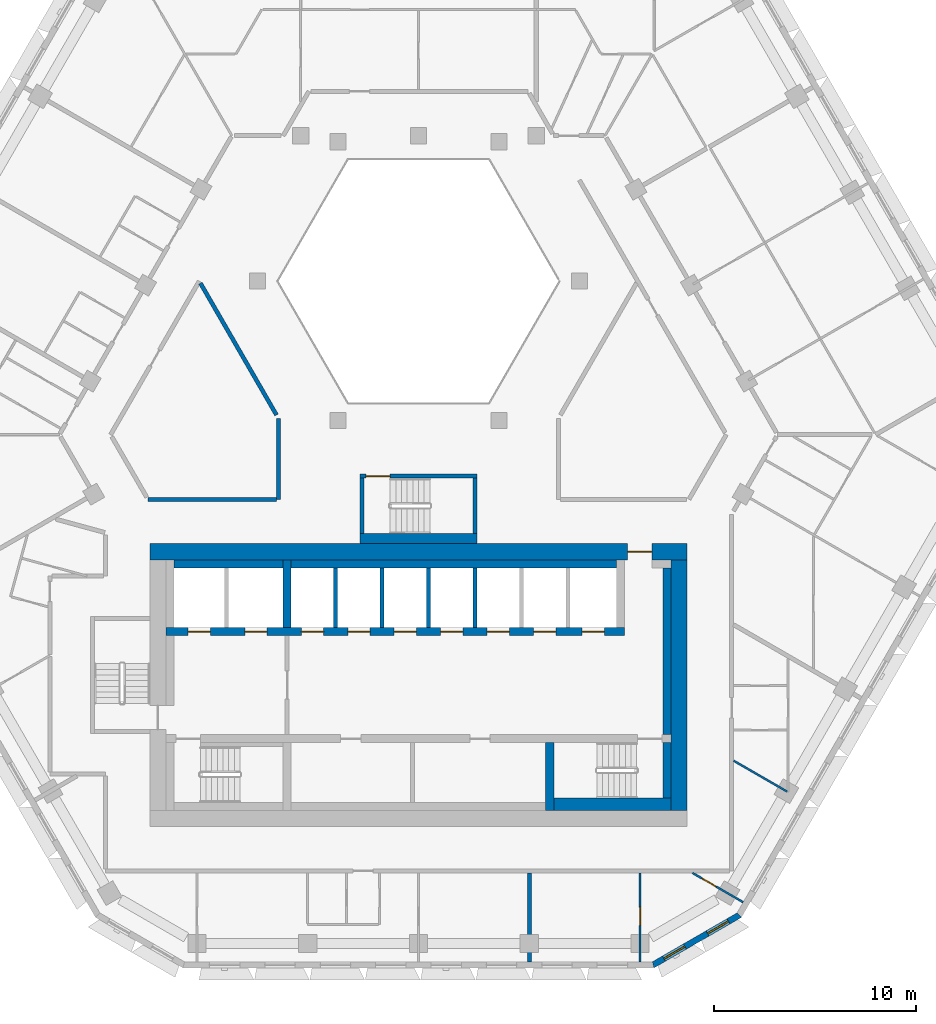
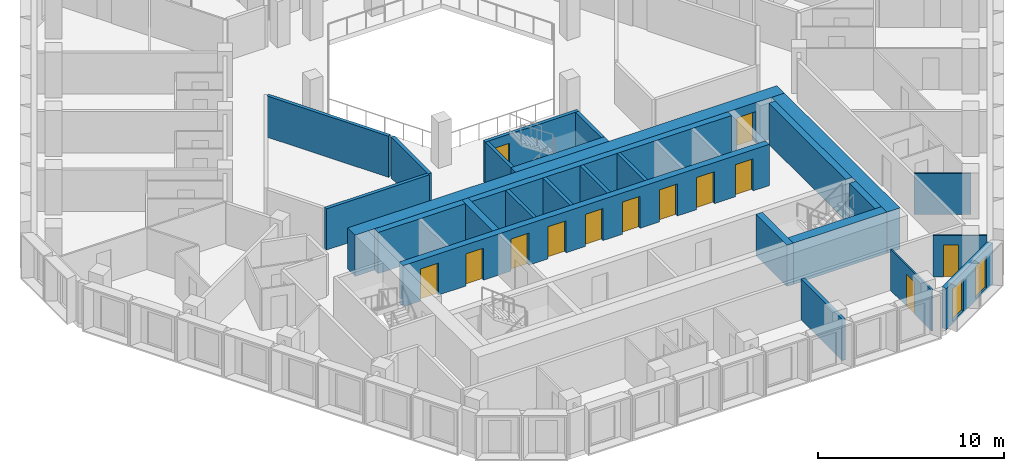
# One storey, part 5 of 17: 26 walls, 13 doors, 2 windows, 15 openings.
"""IFC4 building model written with IfcOpenShell, lengths in metres."""

from ifc_helpers import new_model, si_unit, direction, frame, frame_2d, origin, place, context, subcontext, project, spatial, polyline, rectangle, outline, extrude, material, layer, layer_set, type_object, element, fill, save


model = new_model("IFC4")

# Units and contexts
model_context = context("Model", 3, precision=1e-05, world=origin(), true_north=direction((0.0, 1.0)))
body_context = subcontext(model_context, "Body", "Model", "MODEL_VIEW")
ifc_project = project(units=[si_unit("LENGTHUNIT", "METRE"), si_unit("AREAUNIT", "SQUARE_METRE"), si_unit("VOLUMEUNIT", "CUBIC_METRE"), si_unit("PLANEANGLEUNIT", "RADIAN"), si_unit("MASSUNIT", "GRAM", prefix="KILO")], contexts=[model_context])

# Site, building, storey
site_placement = place(None, origin())
site = spatial("IfcSite", under=ifc_project, at=site_placement, CompositionType="ELEMENT")
building_placement = place(site_placement, origin())
building = spatial("IfcBuilding", under=site, at=building_placement, Name="Beryl Residences", CompositionType="ELEMENT")
storey_placement = place(building_placement, frame((0.0, 0.0, 120.60009765625)))
storey = spatial("IfcBuildingStorey", under=building, at=storey_placement, Name="L36", CompositionType="ELEMENT", Elevation=120.60009765625)

# Wall, openings, windows
ifc_material_1 = material(Name="Composite metal panel with mineral wool insulation")
ifc_layer_1 = layer(ifc_material_1, 0.300048828125)
ifc_layer_set_1 = layer_set([ifc_layer_1], Name="ES1 pale metal composite panel wall 300 mm")
wall_type_1 = type_object("IfcWallType", Name="ES1 pale metal composite panel wall 300 mm", PredefinedType="SOLIDWALL", material=ifc_layer_set_1)
wall_1_placement = place(storey_placement, frame((11.5869140625, -25.8701171875, 0.0), z_axis=(0.0, 0.0, 1.0), x_axis=(0.866022959057, 0.500004234368, 0.0)))
wall_1 = element("IfcWall", 1, at=wall_1_placement, inside=storey, type_object=wall_type_1, Name="ES1 external wall L36 S-SE", PredefinedType="SOLIDWALL", context=body_context, shape_type="SweptSolid", body=[
    extrude(outline(polyline([(0.0, -0.14990234375), (5.0, -0.14990234375), (4.919677734375, 0.14990234375), (0.080322265625, 0.14990234375), (0.0, -0.14990234375)])), origin(), (0.0, 0.0, 1.0), 2.699951171875),
])
opening_1_placement = place(wall_1_placement, frame((0.64990234375, 0.0, 0.14990234375)))
opening_1 = element("IfcOpeningElement", 2, at=opening_1_placement, cuts=wall_1, Name="Opening W2", PredefinedType="OPENING", context=body_context, shape_type="SweptSolid", body=[
    extrude(rectangle(XDim=1.199951171875, YDim=2.10009765625, at=frame_2d((0.60009765625, 1.050048828125))), frame((0.0, 0.159912109375, 0.0), z_axis=(0.0, -1.0, 0.0), x_axis=(1.0, 0.0, 0.0)), (0.0, 0.0, 1.0), 0.320068359375),
])
opening_2_placement = place(wall_1_placement, frame((3.14892578125, 0.0, 0.14990234375)))
opening_2 = element("IfcOpeningElement", 3, at=opening_2_placement, cuts=wall_1, Name="Opening W2", PredefinedType="OPENING", context=body_context, shape_type="SweptSolid", body=[
    extrude(rectangle(XDim=1.199951171875, YDim=2.10009765625, at=frame_2d((0.60009765625, 1.050048828125))), frame((0.0, 0.159912109375, 0.0), z_axis=(0.0, -1.0, 0.0), x_axis=(1.0, 0.0, 0.0)), (0.0, 0.0, 1.0), 0.320068359375),
])
ifc_material_2 = material(Name="Aluminium and clear glass", Category="aluminium")
window_type = type_object("IfcWindowType", Name="W2 chamfer window 1200 x 2100 mm", PartitioningType="SINGLE_PANEL", PredefinedType="WINDOW", material=ifc_material_2)
window_1_placement = place(opening_1_placement, origin())
window_1 = element("IfcWindow", 4, at=window_1_placement, inside=storey, type_object=window_type, Name="W2 window L36 S-SE 1", OverallHeight=2.10009765625, OverallWidth=1.199951171875, PartitioningType="SINGLE_PANEL", PredefinedType="WINDOW", context=body_context, shape_type="SweptSolid", body=[
    extrude(rectangle(XDim=1.199951171875, YDim=2.10009765625, at=frame_2d((0.60009765625, 1.050048828125))), frame((0.0, 0.030029296875, 0.0), z_axis=(0.0, -1.0, 0.0), x_axis=(1.0, 0.0, 0.0)), (0.0, 0.0, 1.0), 0.06005859375),
])
fill(opening_1, window_1)
window_2_placement = place(opening_2_placement, origin())
window_2 = element("IfcWindow", 5, at=window_2_placement, inside=storey, type_object=window_type, Name="W2 window L36 S-SE 2", OverallHeight=2.10009765625, OverallWidth=1.199951171875, PartitioningType="SINGLE_PANEL", PredefinedType="WINDOW", context=body_context, shape_type="SweptSolid", body=[
    extrude(rectangle(XDim=1.199951171875, YDim=2.10009765625, at=frame_2d((0.60009765625, 1.050048828125))), frame((0.0, 0.030029296875, 0.0), z_axis=(0.0, -1.0, 0.0), x_axis=(1.0, 0.0, 0.0)), (0.0, 0.0, 1.0), 0.06005859375),
])
fill(opening_2, window_2)

# Wall
ifc_material_3 = material(Name="Gypsum board partition on steel studs", Category="steel")
ifc_layer_2 = layer(ifc_material_3, 0.10009765625)
ifc_layer_set_2 = layer_set([ifc_layer_2], Name="PT1 partition 100 mm gypsum board on steel studs")
wall_type_2 = type_object("IfcWallType", Name="PT1 partition 100 mm gypsum board on steel studs", PredefinedType="PARTITIONING", material=ifc_layer_set_2)
wall_2_placement = place(storey_placement, frame((15.60009765625, -15.740966796875, 0.0), z_axis=(0.0, 0.0, 1.0), x_axis=(0.866010195725, -0.500026340207, 0.0)))
element("IfcWall", 6, at=wall_2_placement, inside=storey, type_object=wall_type_2, Name="Wall PT1 L36 011", PredefinedType="PARTITIONING", context=body_context, shape_type="SweptSolid", body=[
    extrude(rectangle(XDim=3.059814453125, YDim=0.10009765625, at=frame_2d((1.52978515625, 0.0))), origin(), (0.0, 0.0, 1.0), 2.699951171875),
])

# Wall, opening, door
wall_3_placement = place(storey_placement, frame((13.568115234375, -21.300048828125, 0.0), z_axis=(0.0, 0.0, 1.0), x_axis=(0.865885342641, -0.500242514586, 0.0)))
wall_3 = element("IfcWall", 7, at=wall_3_placement, inside=storey, type_object=wall_type_2, Name="Wall PT1 L36 014", PredefinedType="PARTITIONING", context=body_context, shape_type="SweptSolid", body=[
    extrude(rectangle(XDim=2.8984375, YDim=0.10009765625, at=frame_2d((1.44921875, 0.0))), origin(), (0.0, 0.0, 1.0), 2.699951171875),
])
opening_3_placement = place(wall_3_placement, frame((0.550048828125, 0.0, 0.0)))
opening_3 = element("IfcOpeningElement", 8, at=opening_3_placement, cuts=wall_3, Name="Opening D1040", PredefinedType="OPENING", context=body_context, shape_type="SweptSolid", body=[
    extrude(rectangle(XDim=0.800048828125, YDim=2.10009765625, at=frame_2d((0.39990234375, 1.050048828125))), frame((0.0, 0.06005859375, 0.0), z_axis=(0.0, -1.0, 0.0), x_axis=(1.0, 0.0, 0.0)), (0.0, 0.0, 1.0), 0.1201171875),
])
ifc_material_4 = material(Name="Timber door leaf", Category="wood")
door_type_1 = type_object("IfcDoorType", Name="D13 room door 800 x 2100 mm", OperationType="SINGLE_SWING_LEFT", PredefinedType="DOOR", material=ifc_material_4)
door_1_placement = place(opening_3_placement, origin())
door_1 = element("IfcDoor", 9, at=door_1_placement, inside=storey, type_object=door_type_1, Name="Door D1040 L36 001", OperationType="SINGLE_SWING_RIGHT", OverallHeight=2.10009765625, OverallWidth=0.800048828125, PredefinedType="DOOR", context=body_context, shape_type="SweptSolid", body=[
    extrude(rectangle(XDim=0.800048828125, YDim=2.10009765625, at=frame_2d((0.39990234375, 1.050048828125))), frame((0.0, 0.02490234375, 0.0), z_axis=(0.0, -1.0, 0.0), x_axis=(1.0, 0.0, 0.0)), (0.0, 0.0, 1.0), 0.050048828125),
])
fill(opening_3, door_1)

wall_4_placement = place(storey_placement, frame((10.970947265625, -25.699951171875, 0.0), z_axis=(0.0, 0.0, 1.0), x_axis=(0.0, 1.0, 0.0)))
wall_4 = element("IfcWall", 10, at=wall_4_placement, inside=storey, type_object=wall_type_2, Name="Wall PT1 L36 040", PredefinedType="PARTITIONING", context=body_context, shape_type="SweptSolid", body=[
    extrude(rectangle(XDim=4.39990234375, YDim=0.10009765625, at=frame_2d((2.199951171875, 0.0))), origin(), (0.0, 0.0, 1.0), 2.699951171875),
])
opening_4_placement = place(wall_4_placement, frame((1.800048828125, 0.0, 0.0)))
opening_4 = element("IfcOpeningElement", 11, at=opening_4_placement, cuts=wall_4, Name="Opening D1041", PredefinedType="OPENING", context=body_context, shape_type="SweptSolid", body=[
    extrude(rectangle(XDim=0.89990234375, YDim=2.10009765625, at=frame_2d((0.449951171875, 1.050048828125))), frame((0.0, 0.06005859375, 0.0), z_axis=(0.0, -1.0, 0.0), x_axis=(1.0, 0.0, 0.0)), (0.0, 0.0, 1.0), 0.1201171875),
])
ifc_material_5 = material(Name="Timber door leaf", Category="wood")
door_type_2 = type_object("IfcDoorType", Name="D2 room door 900 x 2100 mm", OperationType="SINGLE_SWING_LEFT", PredefinedType="DOOR", material=ifc_material_5)
door_2_placement = place(opening_4_placement, origin())
door_2 = element("IfcDoor", 12, at=door_2_placement, inside=storey, type_object=door_type_2, Name="Door D1041 L36 001", OperationType="SINGLE_SWING_LEFT", OverallHeight=2.10009765625, OverallWidth=0.89990234375, PredefinedType="DOOR", context=body_context, shape_type="SweptSolid", body=[
    extrude(rectangle(XDim=0.89990234375, YDim=2.10009765625, at=frame_2d((0.449951171875, 1.050048828125))), frame((0.0, 0.02490234375, 0.0), z_axis=(0.0, -1.0, 0.0), x_axis=(1.0, 0.0, 0.0)), (0.0, 0.0, 1.0), 0.050048828125),
])
fill(opening_4, door_2)

# Walls
ifc_material_6 = material(Name="Concrete masonry", Category="masonry")
ifc_layer_3 = layer(ifc_material_6, 0.39990234375)
ifc_layer_set_3 = layer_set([ifc_layer_3], Name="PT13-400 lobby wall 400 mm")
wall_type_3 = type_object("IfcWallType", Name="PT13-400 lobby wall 400 mm", PredefinedType="PARTITIONING", material=ifc_layer_set_3)
wall_5_placement = place(storey_placement, frame((12.300048828125, -14.449951171875, 0.0), z_axis=(0.0, 0.0, 1.0), x_axis=(0.0, 1.0, 0.0)))
element("IfcWall", 13, at=wall_5_placement, inside=storey, type_object=wall_type_3, Name="Lobby wall 24", PredefinedType="PARTITIONING", context=body_context, shape_type="SweptSolid", body=[
    extrude(rectangle(XDim=8.25, YDim=0.39990234375, at=frame_2d((4.125, 0.0))), origin(), (0.0, 0.0, 1.0), 2.699951171875),
])
ifc_material_7 = material(Name="Acoustic double stud gypsum board wall")
ifc_layer_4 = layer(ifc_material_7, 0.199951171875)
ifc_layer_set_4 = layer_set([ifc_layer_4], Name="PT3 party wall 200 mm acoustic double stud")
wall_type_4 = type_object("IfcWallType", Name="PT3 party wall 200 mm acoustic double stud", PredefinedType="PARTITIONING", material=ifc_layer_set_4)
wall_6_placement = place(storey_placement, frame((5.486083984375, -25.699951171875, 0.0), z_axis=(0.0, 0.0, 1.0), x_axis=(0.0, 1.0, 0.0)))
element("IfcWall", 14, at=wall_6_placement, inside=storey, type_object=wall_type_4, Name="Wall PT3 L36 007", PredefinedType="PARTITIONING", context=body_context, shape_type="SweptSolid", body=[
    extrude(rectangle(XDim=4.39990234375, YDim=0.199951171875, at=frame_2d((2.199951171875, 0.0))), origin(), (0.0, 0.0, 1.0), 2.699951171875),
])
ifc_material_8 = material(Name="Double stud gypsum board wall")
ifc_layer_5 = layer(ifc_material_8, 0.199951171875)
ifc_layer_set_5 = layer_set([ifc_layer_5], Name="PT4 corridor wall 200 mm double stud")
wall_type_5 = type_object("IfcWallType", Name="PT4 corridor wall 200 mm double stud", PredefinedType="PARTITIONING", material=ifc_layer_set_5)
wall_7_placement = place(storey_placement, frame((-10.7958984375, 7.89990234375, 0.0), z_axis=(0.0, 0.0, 1.0), x_axis=(0.499954271211, -0.866051803703, 0.0)))
element("IfcWall", 15, at=wall_7_placement, inside=storey, type_object=wall_type_5, Name="Wall PT4 L36 001", PredefinedType="PARTITIONING", context=body_context, shape_type="SweptSolid", body=[
    extrude(rectangle(XDim=7.536376953125, YDim=0.199951171875, at=frame_2d((3.76806640625, 0.0))), origin(), (0.0, 0.0, 1.0), 2.699951171875),
])
wall_8_placement = place(storey_placement, frame((-13.39501953125, -2.800048828125, 0.0), z_axis=(0.0, 0.0, 1.0), x_axis=(1.0, 0.0, 0.0)))
element("IfcWall", 16, at=wall_8_placement, inside=storey, type_object=wall_type_5, Name="Wall PT4 L36 012", PredefinedType="PARTITIONING", context=body_context, shape_type="SweptSolid", body=[
    extrude(rectangle(XDim=6.366943359375, YDim=0.199951171875, at=frame_2d((3.18359375, 0.0))), origin(), (0.0, 0.0, 1.0), 2.699951171875),
])
wall_9_placement = place(storey_placement, frame((-6.927978515625, -2.800048828125, 0.0), z_axis=(0.0, 0.0, 1.0), x_axis=(0.0, 1.0, 0.0)))
element("IfcWall", 17, at=wall_9_placement, inside=storey, type_object=wall_type_5, Name="Wall PT4 L36 025", PredefinedType="PARTITIONING", context=body_context, shape_type="SweptSolid", body=[
    extrude(rectangle(XDim=4.0, YDim=0.199951171875, at=frame_2d((2.0, 0.0))), origin(), (0.0, 0.0, 1.0), 2.699951171875),
])

# Wall, opening, door
ifc_material_9 = material(Name="Concrete C40/50", Category="concrete")
ifc_layer_6 = layer(ifc_material_9, 0.199951171875)
ifc_layer_set_6 = layer_set([ifc_layer_6], Name="PT5 stair enclosure wall 200 mm reinforced concrete C40/50")
wall_type_6 = type_object("IfcWallType", Name="PT5 stair enclosure wall 200 mm reinforced concrete C40/50", PredefinedType="SOLIDWALL", material=ifc_layer_set_6)
wall_10_placement = place(storey_placement, frame((-2.89990234375, -1.64990234375, 0.0), z_axis=(0.0, 0.0, 1.0), x_axis=(1.0, 0.0, 0.0)))
wall_10 = element("IfcWall", 18, at=wall_10_placement, inside=storey, type_object=wall_type_6, Name="Wall PT5 L36 001", PredefinedType="SOLIDWALL", context=body_context, shape_type="SweptSolid", body=[
    extrude(rectangle(XDim=5.7998046875, YDim=0.199951171875, at=frame_2d((2.89990234375, 0.0))), origin(), (0.0, 0.0, 1.0), 2.699951171875),
])
opening_5_placement = place(wall_10_placement, frame((0.300048828125, 0.0, 0.0)))
opening_5 = element("IfcOpeningElement", 19, at=opening_5_placement, cuts=wall_10, Name="Opening DS04", PredefinedType="OPENING", context=body_context, shape_type="SweptSolid", body=[
    extrude(rectangle(XDim=1.199951171875, YDim=2.10009765625, at=frame_2d((0.60009765625, 1.050048828125))), frame((0.0, 0.10986328125, 0.0), z_axis=(0.0, -1.0, 0.0), x_axis=(1.0, 0.0, 0.0)), (0.0, 0.0, 1.0), 0.219970703125),
])
ifc_material_10 = material(Name="Steel door leaf in steel frame", Category="steel")
door_type_3 = type_object("IfcDoorType", Name="D4 stair door 1200 x 2100 mm", OperationType="SINGLE_SWING_LEFT", PredefinedType="DOOR", material=ifc_material_10)
door_3_placement = place(opening_5_placement, origin())
door_3 = element("IfcDoor", 20, at=door_3_placement, inside=storey, type_object=door_type_3, Name="Door DS04 L36 001", OperationType="SINGLE_SWING_LEFT", OverallHeight=2.10009765625, OverallWidth=1.199951171875, PredefinedType="DOOR", context=body_context, shape_type="SweptSolid", body=[
    extrude(rectangle(XDim=1.199951171875, YDim=2.10009765625, at=frame_2d((0.60009765625, 1.050048828125))), frame((0.0, 0.02490234375, 0.0), z_axis=(0.0, -1.0, 0.0), x_axis=(1.0, 0.0, 0.0)), (0.0, 0.0, 1.0), 0.050048828125),
])
fill(opening_5, door_3)

# Walls
for number, where, z_axis, x_axis, name in (
    (21, (-2.800048828125, -4.5, 0.0), (0.0, 0.0, 1.0), (0.0, 1.0, 0.0), "Wall PT5 L36 002"),
    (22, (2.800048828125, -4.5, 0.0), (0.0, 0.0, 1.0), (0.0, 1.0, 0.0), "Wall PT5 L36 003"),
):
    element("IfcWall", number, at=place(storey_placement, frame(where, z_axis=z_axis, x_axis=x_axis)), inside=storey, type_object=wall_type_6, Name=name, PredefinedType="SOLIDWALL", context=body_context, shape_type="SweptSolid", body=[
        extrude(rectangle(XDim=2.75, YDim=0.199951171875, at=frame_2d((1.375, 0.0))), origin(), (0.0, 0.0, 1.0), 2.699951171875),
    ])
ifc_material_11 = material(Name="Concrete C40/50", Category="concrete")
ifc_layer_7 = layer(ifc_material_11, 0.39990234375)
ifc_layer_set_7 = layer_set([ifc_layer_7], Name="PT5-400 stair enclosure wall 400 mm")
wall_type_7 = type_object("IfcWallType", Name="PT5-400 stair enclosure wall 400 mm", PredefinedType="SOLIDWALL", material=ifc_layer_set_7)
wall_11_placement = place(storey_placement, frame((12.300048828125, -17.60009765625, 0.0), z_axis=(0.0, 0.0, 1.0), x_axis=(0.0, 1.0, 0.0)))
element("IfcWall", 23, at=wall_11_placement, inside=storey, type_object=wall_type_7, Name="Stair wall 23", PredefinedType="SOLIDWALL", context=body_context, shape_type="SweptSolid", body=[
    extrude(rectangle(XDim=2.75, YDim=0.39990234375, at=frame_2d((1.375, 0.0))), origin(), (0.0, 0.0, 1.0), 2.699951171875),
])
ifc_material_12 = material(Name="Concrete C40/50", Category="concrete")
ifc_layer_8 = layer(ifc_material_12, 0.5)
ifc_layer_set_8 = layer_set([ifc_layer_8], Name="PT5-500 stair enclosure wall 500 mm")
wall_type_8 = type_object("IfcWallType", Name="PT5-500 stair enclosure wall 500 mm", PredefinedType="SOLIDWALL", material=ifc_layer_set_8)
wall_12_placement = place(storey_placement, frame((-2.89990234375, -4.75, 0.0), z_axis=(0.0, 0.0, 1.0), x_axis=(1.0, 0.0, 0.0)))
element("IfcWall", 24, at=wall_12_placement, inside=storey, type_object=wall_type_8, Name="Wall PT5-500 L36 001", PredefinedType="SOLIDWALL", context=body_context, shape_type="SweptSolid", body=[
    extrude(rectangle(XDim=5.7998046875, YDim=0.5, at=frame_2d((2.89990234375, 0.0))), origin(), (0.0, 0.0, 1.0), 2.699951171875),
])
ifc_material_13 = material(Name="Concrete C40/50", Category="concrete")
ifc_layer_9 = layer(ifc_material_13, 0.60009765625)
ifc_layer_set_9 = layer_set([ifc_layer_9], Name="PT5-600 stair enclosure wall 600 mm")
wall_type_9 = type_object("IfcWallType", Name="PT5-600 stair enclosure wall 600 mm", PredefinedType="SOLIDWALL", material=ifc_layer_set_9)
wall_13_placement = place(storey_placement, frame((6.699951171875, -17.89990234375, 0.0), z_axis=(0.0, 0.0, 1.0), x_axis=(1.0, 0.0, 0.0)))
element("IfcWall", 25, at=wall_13_placement, inside=storey, type_object=wall_type_9, Name="Stair wall 20", PredefinedType="SOLIDWALL", context=body_context, shape_type="SweptSolid", body=[
    extrude(rectangle(XDim=5.800048828125, YDim=0.60009765625, at=frame_2d((2.89990234375, 0.0))), origin(), (0.0, 0.0, 1.0), 2.699951171875),
])
ifc_material_14 = material(Name="Concrete C40/50", Category="concrete")
ifc_layer_10 = layer(ifc_material_14, 0.199951171875)
ifc_layer_set_10 = layer_set([ifc_layer_10], Name="PT6 lift shaft wall 200 mm reinforced concrete C40/50")
wall_type_10 = type_object("IfcWallType", Name="PT6 lift shaft wall 200 mm reinforced concrete C40/50", PredefinedType="SOLIDWALL", material=ifc_layer_set_10)
for number, where, z_axis, x_axis, name in (
    (26, (-4.10009765625, -9.14990234375, 0.0), (0.0, 0.0, 1.0), (0.0, 1.0, 0.0), "Lift shaft wall 14"),
    (27, (-1.800048828125, -9.14990234375, 0.0), (0.0, 0.0, 1.0), (0.0, 1.0, 0.0), "Lift shaft wall 15"),
    (28, (0.5, -9.14990234375, 0.0), (0.0, 0.0, 1.0), (0.0, 1.0, 0.0), "Lift shaft wall 17"),
    (29, (2.800048828125, -9.14990234375, 0.0), (0.0, 0.0, 1.0), (0.0, 1.0, 0.0), "Lift shaft wall 18"),
):
    element("IfcWall", number, at=place(storey_placement, frame(where, z_axis=z_axis, x_axis=x_axis)), inside=storey, type_object=wall_type_10, Name=name, PredefinedType="SOLIDWALL", context=body_context, shape_type="SweptSolid", body=[
        extrude(rectangle(XDim=2.949951171875, YDim=0.199951171875, at=frame_2d((1.47509765625, 0.0))), origin(), (0.0, 0.0, 1.0), 2.699951171875),
    ])
ifc_material_15 = material(Name="Concrete C40/50", Category="concrete")
ifc_layer_11 = layer(ifc_material_15, 0.39990234375)
ifc_layer_set_11 = layer_set([ifc_layer_11], Name="PT6-400 lift shaft wall 400 mm")
wall_type_11 = type_object("IfcWallType", Name="PT6-400 lift shaft wall 400 mm", PredefinedType="SOLIDWALL", material=ifc_layer_set_11)
wall_14_placement = place(storey_placement, frame((-12.10009765625, -6.0, 0.0), z_axis=(0.0, 0.0, 1.0), x_axis=(1.0, 0.0, 0.0)))
element("IfcWall", 30, at=wall_14_placement, inside=storey, type_object=wall_type_11, Name="Lift shaft wall 08", PredefinedType="SOLIDWALL", context=body_context, shape_type="SweptSolid", body=[
    extrude(rectangle(XDim=5.400146484375, YDim=0.39990234375, at=frame_2d((2.7001953125, 0.0))), origin(), (0.0, 0.0, 1.0), 2.699951171875),
])
wall_15_placement = place(storey_placement, frame((-6.300048828125, -6.0, 0.0), z_axis=(0.0, 0.0, 1.0), x_axis=(1.0, 0.0, 0.0)))
element("IfcWall", 31, at=wall_15_placement, inside=storey, type_object=wall_type_11, Name="Lift shaft wall 13", PredefinedType="SOLIDWALL", context=body_context, shape_type="SweptSolid", body=[
    extrude(rectangle(XDim=16.10009765625, YDim=0.39990234375, at=frame_2d((8.050048828125, 0.0))), origin(), (0.0, 0.0, 1.0), 2.699951171875),
])

# Wall, opening, door
ifc_material_16 = material(Name="Concrete C60/75", Category="concrete")
ifc_layer_12 = layer(ifc_material_16, 0.800048828125)
ifc_layer_set_12 = layer_set([ifc_layer_12], Name="SW3 core outer wall 800 mm C60/75")
wall_type_12 = type_object("IfcWallType", Name="SW3 core outer wall 800 mm C60/75", PredefinedType="SHEAR", material=ifc_layer_set_12)
wall_16_placement = place(storey_placement, frame((-13.300048828125, -5.39990234375, 0.0), z_axis=(0.0, 0.0, 1.0), x_axis=(1.0, 0.0, 0.0)))
wall_16 = element("IfcWall", 32, at=wall_16_placement, inside=storey, type_object=wall_type_12, Name="Core wall N L36", PredefinedType="SHEAR", context=body_context, shape_type="SweptSolid", body=[
    extrude(rectangle(XDim=26.60009765625, YDim=0.800048828125, at=frame_2d((13.300048828125, 0.0))), origin(), (0.0, 0.0, 1.0), 2.699951171875),
])
opening_6_placement = place(wall_16_placement, frame((23.64990234375, 0.0, 0.0)))
opening_6 = element("IfcOpeningElement", 33, at=opening_6_placement, cuts=wall_16, Name="Opening FD-NORTH", PredefinedType="OPENING", context=body_context, shape_type="SweptSolid", body=[
    extrude(rectangle(XDim=1.199951171875, YDim=2.10009765625, at=frame_2d((0.60009765625, 1.050048828125))), frame((0.0, 0.409912109375, 0.0), z_axis=(0.0, -1.0, 0.0), x_axis=(1.0, 0.0, 0.0)), (0.0, 0.0, 1.0), 0.820068359375),
])
ifc_material_17 = material(Name="Steel door leaf in steel frame", Category="steel")
door_type_4 = type_object("IfcDoorType", Name="D22 lobby door 1200 x 2100 mm", OperationType="DOUBLE_DOOR_SINGLE_SWING", PredefinedType="DOOR", material=ifc_material_17)
door_4_placement = place(opening_6_placement, origin())
door_4 = element("IfcDoor", 34, at=door_4_placement, inside=storey, type_object=door_type_4, Name="Door FD-NORTH L36 001", OperationType="DOUBLE_DOOR_SINGLE_SWING", OverallHeight=2.10009765625, OverallWidth=1.199951171875, PredefinedType="DOOR", context=body_context, shape_type="SweptSolid", body=[
    extrude(rectangle(XDim=1.199951171875, YDim=2.10009765625, at=frame_2d((0.60009765625, 1.050048828125))), frame((0.0, 0.02490234375, 0.0), z_axis=(0.0, -1.0, 0.0), x_axis=(1.0, 0.0, 0.0)), (0.0, 0.0, 1.0), 0.050048828125),
])
fill(opening_6, door_4)

# Wall
wall_17_placement = place(storey_placement, frame((12.89990234375, -18.199951171875, 0.0), z_axis=(0.0, 0.0, 1.0), x_axis=(0.0, 1.0, 0.0)))
element("IfcWall", 35, at=wall_17_placement, inside=storey, type_object=wall_type_12, Name="Core wall E L36", PredefinedType="SHEAR", context=body_context, shape_type="SweptSolid", body=[
    extrude(rectangle(XDim=12.39990234375, YDim=0.800048828125, at=frame_2d((6.199951171875, 0.0))), origin(), (0.0, 0.0, 1.0), 2.699951171875),
])

# Wall, openings, doors
ifc_material_18 = material(Name="Concrete C60/75", Category="concrete")
ifc_layer_13 = layer(ifc_material_18, 0.39990234375)
ifc_layer_set_13 = layer_set([ifc_layer_13], Name="SW8 core internal wall 400 mm C60/75")
wall_type_13 = type_object("IfcWallType", Name="SW8 core internal wall 400 mm C60/75", PredefinedType="SHEAR", material=ifc_layer_set_13)
wall_18_placement = place(storey_placement, frame((-12.5, -9.35009765625, 0.0), z_axis=(0.0, 0.0, 1.0), x_axis=(1.0, 0.0, 0.0)))
wall_18 = element("IfcWall", 36, at=wall_18_placement, inside=storey, type_object=wall_type_13, Name="Core wall SP2 L36", PredefinedType="SHEAR", context=body_context, shape_type="SweptSolid", body=[
    extrude(rectangle(XDim=22.699951171875, YDim=0.39990234375, at=frame_2d((11.35009765625, 0.0))), origin(), (0.0, 0.0, 1.0), 2.699951171875),
])
opening_7_placement = place(wall_18_placement, frame((1.10009765625, 0.0, 0.0)))
opening_7 = element("IfcOpeningElement", 37, at=opening_7_placement, cuts=wall_18, Name="Opening LD-FF1", PredefinedType="OPENING", context=body_context, shape_type="SweptSolid", body=[
    extrude(rectangle(XDim=1.10009765625, YDim=2.10009765625, at=frame_2d((0.550048828125, 1.050048828125))), frame((0.0, 0.2099609375, 0.0), z_axis=(0.0, -1.0, 0.0), x_axis=(1.0, 0.0, 0.0)), (0.0, 0.0, 1.0), 0.419921875),
])
opening_8_placement = place(wall_18_placement, frame((3.89990234375, 0.0, 0.0)))
opening_8 = element("IfcOpeningElement", 38, at=opening_8_placement, cuts=wall_18, Name="Opening LD-FF2", PredefinedType="OPENING", context=body_context, shape_type="SweptSolid", body=[
    extrude(rectangle(XDim=1.10009765625, YDim=2.10009765625, at=frame_2d((0.550048828125, 1.050048828125))), frame((0.0, 0.2099609375, 0.0), z_axis=(0.0, -1.0, 0.0), x_axis=(1.0, 0.0, 0.0)), (0.0, 0.0, 1.0), 0.419921875),
])
opening_9_placement = place(wall_18_placement, frame((6.699951171875, 0.0, 0.0)))
opening_9 = element("IfcOpeningElement", 39, at=opening_9_placement, cuts=wall_18, Name="Opening LD-HR1", PredefinedType="OPENING", context=body_context, shape_type="SweptSolid", body=[
    extrude(rectangle(XDim=1.10009765625, YDim=2.10009765625, at=frame_2d((0.550048828125, 1.050048828125))), frame((0.0, 0.2099609375, 0.0), z_axis=(0.0, -1.0, 0.0), x_axis=(1.0, 0.0, 0.0)), (0.0, 0.0, 1.0), 0.419921875),
])
opening_10_placement = place(wall_18_placement, frame((9.0, 0.0, 0.0)))
opening_10 = element("IfcOpeningElement", 40, at=opening_10_placement, cuts=wall_18, Name="Opening LD-HR2", PredefinedType="OPENING", context=body_context, shape_type="SweptSolid", body=[
    extrude(rectangle(XDim=1.10009765625, YDim=2.10009765625, at=frame_2d((0.550048828125, 1.050048828125))), frame((0.0, 0.2099609375, 0.0), z_axis=(0.0, -1.0, 0.0), x_axis=(1.0, 0.0, 0.0)), (0.0, 0.0, 1.0), 0.419921875),
])
opening_11_placement = place(wall_18_placement, frame((11.300048828125, 0.0, 0.0)))
opening_11 = element("IfcOpeningElement", 41, at=opening_11_placement, cuts=wall_18, Name="Opening LD-HR3", PredefinedType="OPENING", context=body_context, shape_type="SweptSolid", body=[
    extrude(rectangle(XDim=1.10009765625, YDim=2.10009765625, at=frame_2d((0.550048828125, 1.050048828125))), frame((0.0, 0.2099609375, 0.0), z_axis=(0.0, -1.0, 0.0), x_axis=(1.0, 0.0, 0.0)), (0.0, 0.0, 1.0), 0.419921875),
])
opening_12_placement = place(wall_18_placement, frame((13.60009765625, 0.0, 0.0)))
opening_12 = element("IfcOpeningElement", 42, at=opening_12_placement, cuts=wall_18, Name="Opening LD-HR4", PredefinedType="OPENING", context=body_context, shape_type="SweptSolid", body=[
    extrude(rectangle(XDim=1.10009765625, YDim=2.10009765625, at=frame_2d((0.550048828125, 1.050048828125))), frame((0.0, 0.2099609375, 0.0), z_axis=(0.0, -1.0, 0.0), x_axis=(1.0, 0.0, 0.0)), (0.0, 0.0, 1.0), 0.419921875),
])
opening_13_placement = place(wall_18_placement, frame((15.89990234375, 0.0, 0.0)))
opening_13 = element("IfcOpeningElement", 43, at=opening_13_placement, cuts=wall_18, Name="Opening LD-HR5", PredefinedType="OPENING", context=body_context, shape_type="SweptSolid", body=[
    extrude(rectangle(XDim=1.10009765625, YDim=2.10009765625, at=frame_2d((0.550048828125, 1.050048828125))), frame((0.0, 0.2099609375, 0.0), z_axis=(0.0, -1.0, 0.0), x_axis=(1.0, 0.0, 0.0)), (0.0, 0.0, 1.0), 0.419921875),
])
opening_14_placement = place(wall_18_placement, frame((18.199951171875, 0.0, 0.0)))
opening_14 = element("IfcOpeningElement", 44, at=opening_14_placement, cuts=wall_18, Name="Opening LD-HR6", PredefinedType="OPENING", context=body_context, shape_type="SweptSolid", body=[
    extrude(rectangle(XDim=1.10009765625, YDim=2.10009765625, at=frame_2d((0.550048828125, 1.050048828125))), frame((0.0, 0.2099609375, 0.0), z_axis=(0.0, -1.0, 0.0), x_axis=(1.0, 0.0, 0.0)), (0.0, 0.0, 1.0), 0.419921875),
])
opening_15_placement = place(wall_18_placement, frame((20.60009765625, 0.0, 0.0)))
opening_15 = element("IfcOpeningElement", 45, at=opening_15_placement, cuts=wall_18, Name="Opening LD-SL1", PredefinedType="OPENING", context=body_context, shape_type="SweptSolid", body=[
    extrude(rectangle(XDim=1.10009765625, YDim=2.10009765625, at=frame_2d((0.550048828125, 1.050048828125))), frame((0.0, 0.2099609375, 0.0), z_axis=(0.0, -1.0, 0.0), x_axis=(1.0, 0.0, 0.0)), (0.0, 0.0, 1.0), 0.419921875),
])
ifc_material_19 = material(Name="Stainless steel sliding door", Category="steel")
door_type_5 = type_object("IfcDoorType", Name="LD1 lift landing door 1100 x 2100 mm", OperationType="DOUBLE_DOOR_SLIDING", PredefinedType="DOOR", material=ifc_material_19)
door_5_placement = place(opening_7_placement, origin())
door_5 = element("IfcDoor", 46, at=door_5_placement, inside=storey, type_object=door_type_5, Name="Lift landing door FF1", OperationType="DOUBLE_DOOR_SLIDING", OverallHeight=2.10009765625, OverallWidth=1.10009765625, PredefinedType="DOOR", context=body_context, shape_type="SweptSolid", body=[
    extrude(rectangle(XDim=1.10009765625, YDim=2.10009765625, at=frame_2d((0.550048828125, 1.050048828125))), frame((0.0, 0.02490234375, 0.0), z_axis=(0.0, -1.0, 0.0), x_axis=(1.0, 0.0, 0.0)), (0.0, 0.0, 1.0), 0.050048828125),
])
fill(opening_7, door_5)
door_6_placement = place(opening_8_placement, origin())
door_6 = element("IfcDoor", 47, at=door_6_placement, inside=storey, type_object=door_type_5, Name="Lift landing door FF2", OperationType="DOUBLE_DOOR_SLIDING", OverallHeight=2.10009765625, OverallWidth=1.10009765625, PredefinedType="DOOR", context=body_context, shape_type="SweptSolid", body=[
    extrude(rectangle(XDim=1.10009765625, YDim=2.10009765625, at=frame_2d((0.550048828125, 1.050048828125))), frame((0.0, 0.02490234375, 0.0), z_axis=(0.0, -1.0, 0.0), x_axis=(1.0, 0.0, 0.0)), (0.0, 0.0, 1.0), 0.050048828125),
])
fill(opening_8, door_6)
door_7_placement = place(opening_9_placement, origin())
door_7 = element("IfcDoor", 48, at=door_7_placement, inside=storey, type_object=door_type_5, Name="Lift landing door HR1", OperationType="DOUBLE_DOOR_SLIDING", OverallHeight=2.10009765625, OverallWidth=1.10009765625, PredefinedType="DOOR", context=body_context, shape_type="SweptSolid", body=[
    extrude(rectangle(XDim=1.10009765625, YDim=2.10009765625, at=frame_2d((0.550048828125, 1.050048828125))), frame((0.0, 0.02490234375, 0.0), z_axis=(0.0, -1.0, 0.0), x_axis=(1.0, 0.0, 0.0)), (0.0, 0.0, 1.0), 0.050048828125),
])
fill(opening_9, door_7)
door_8_placement = place(opening_10_placement, origin())
door_8 = element("IfcDoor", 49, at=door_8_placement, inside=storey, type_object=door_type_5, Name="Lift landing door HR2", OperationType="DOUBLE_DOOR_SLIDING", OverallHeight=2.10009765625, OverallWidth=1.10009765625, PredefinedType="DOOR", context=body_context, shape_type="SweptSolid", body=[
    extrude(rectangle(XDim=1.10009765625, YDim=2.10009765625, at=frame_2d((0.550048828125, 1.050048828125))), frame((0.0, 0.02490234375, 0.0), z_axis=(0.0, -1.0, 0.0), x_axis=(1.0, 0.0, 0.0)), (0.0, 0.0, 1.0), 0.050048828125),
])
fill(opening_10, door_8)
door_9_placement = place(opening_11_placement, origin())
door_9 = element("IfcDoor", 50, at=door_9_placement, inside=storey, type_object=door_type_5, Name="Lift landing door HR3", OperationType="DOUBLE_DOOR_SLIDING", OverallHeight=2.10009765625, OverallWidth=1.10009765625, PredefinedType="DOOR", context=body_context, shape_type="SweptSolid", body=[
    extrude(rectangle(XDim=1.10009765625, YDim=2.10009765625, at=frame_2d((0.550048828125, 1.050048828125))), frame((0.0, 0.02490234375, 0.0), z_axis=(0.0, -1.0, 0.0), x_axis=(1.0, 0.0, 0.0)), (0.0, 0.0, 1.0), 0.050048828125),
])
fill(opening_11, door_9)
door_10_placement = place(opening_12_placement, origin())
door_10 = element("IfcDoor", 51, at=door_10_placement, inside=storey, type_object=door_type_5, Name="Lift landing door HR4", OperationType="DOUBLE_DOOR_SLIDING", OverallHeight=2.10009765625, OverallWidth=1.10009765625, PredefinedType="DOOR", context=body_context, shape_type="SweptSolid", body=[
    extrude(rectangle(XDim=1.10009765625, YDim=2.10009765625, at=frame_2d((0.550048828125, 1.050048828125))), frame((0.0, 0.02490234375, 0.0), z_axis=(0.0, -1.0, 0.0), x_axis=(1.0, 0.0, 0.0)), (0.0, 0.0, 1.0), 0.050048828125),
])
fill(opening_12, door_10)
door_11_placement = place(opening_13_placement, origin())
door_11 = element("IfcDoor", 52, at=door_11_placement, inside=storey, type_object=door_type_5, Name="Lift landing door HR5", OperationType="DOUBLE_DOOR_SLIDING", OverallHeight=2.10009765625, OverallWidth=1.10009765625, PredefinedType="DOOR", context=body_context, shape_type="SweptSolid", body=[
    extrude(rectangle(XDim=1.10009765625, YDim=2.10009765625, at=frame_2d((0.550048828125, 1.050048828125))), frame((0.0, 0.02490234375, 0.0), z_axis=(0.0, -1.0, 0.0), x_axis=(1.0, 0.0, 0.0)), (0.0, 0.0, 1.0), 0.050048828125),
])
fill(opening_13, door_11)
door_12_placement = place(opening_14_placement, origin())
door_12 = element("IfcDoor", 53, at=door_12_placement, inside=storey, type_object=door_type_5, Name="Lift landing door HR6", OperationType="DOUBLE_DOOR_SLIDING", OverallHeight=2.10009765625, OverallWidth=1.10009765625, PredefinedType="DOOR", context=body_context, shape_type="SweptSolid", body=[
    extrude(rectangle(XDim=1.10009765625, YDim=2.10009765625, at=frame_2d((0.550048828125, 1.050048828125))), frame((0.0, 0.02490234375, 0.0), z_axis=(0.0, -1.0, 0.0), x_axis=(1.0, 0.0, 0.0)), (0.0, 0.0, 1.0), 0.050048828125),
])
fill(opening_14, door_12)
door_13_placement = place(opening_15_placement, origin())
door_13 = element("IfcDoor", 54, at=door_13_placement, inside=storey, type_object=door_type_5, Name="Lift landing door SL1", OperationType="DOUBLE_DOOR_SLIDING", OverallHeight=2.10009765625, OverallWidth=1.10009765625, PredefinedType="DOOR", context=body_context, shape_type="SweptSolid", body=[
    extrude(rectangle(XDim=1.10009765625, YDim=2.10009765625, at=frame_2d((0.550048828125, 1.050048828125))), frame((0.0, 0.02490234375, 0.0), z_axis=(0.0, -1.0, 0.0), x_axis=(1.0, 0.0, 0.0)), (0.0, 0.0, 1.0), 0.050048828125),
])
fill(opening_15, door_13)

# Walls
for number, where, z_axis, x_axis, name in (
    (55, (6.5, -18.199951171875, 0.0), (0.0, 0.0, 1.0), (0.0, 1.0, 0.0), "Core wall XS2 L36"),
    (56, (-6.5, -9.14990234375, 0.0), (0.0, 0.0, 1.0), (0.0, 1.0, 0.0), "Core wall XN1 L36"),
):
    element("IfcWall", number, at=place(storey_placement, frame(where, z_axis=z_axis, x_axis=x_axis)), inside=storey, type_object=wall_type_13, Name=name, PredefinedType="SHEAR", context=body_context, shape_type="SweptSolid", body=[
        extrude(rectangle(XDim=3.349853515625, YDim=0.39990234375, at=frame_2d((1.6748046875, 0.0))), origin(), (0.0, 0.0, 1.0), 2.699951171875),
    ])

save(model, "model.ifc")
